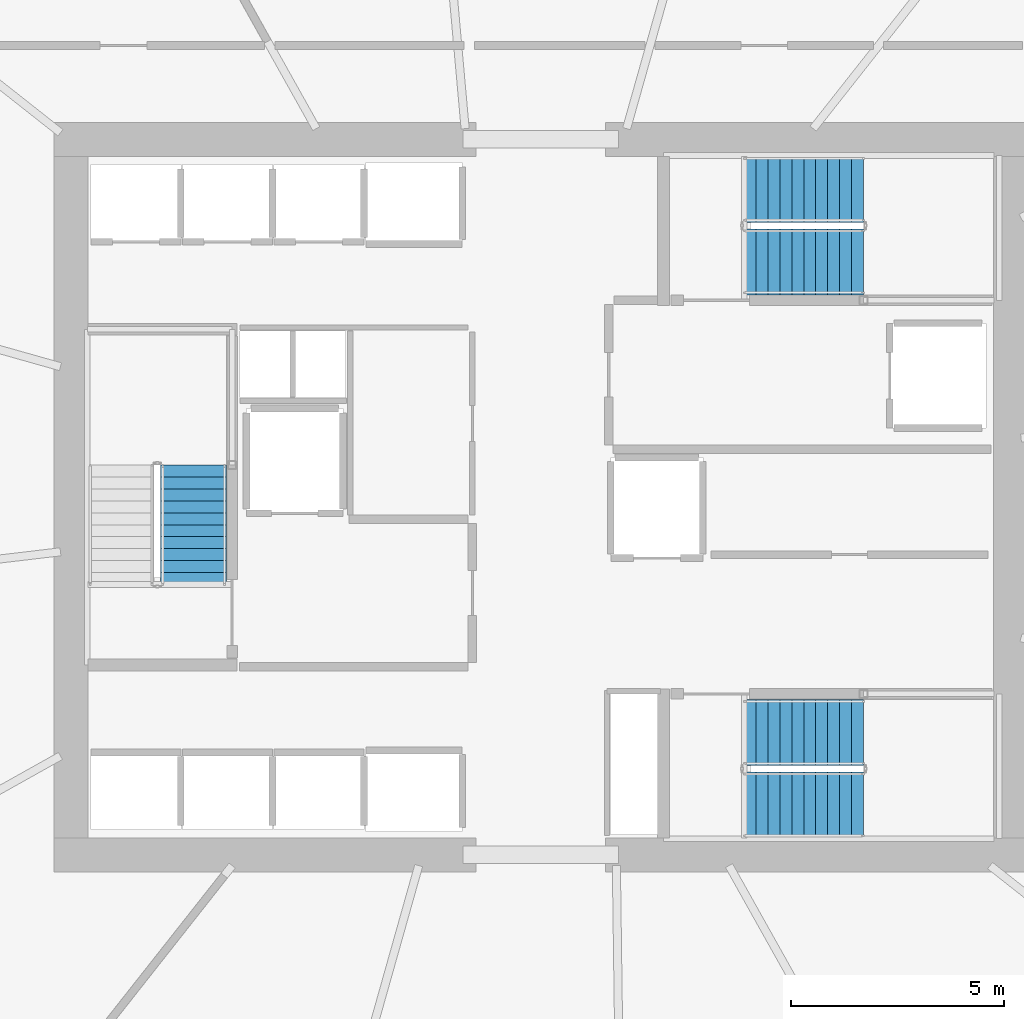
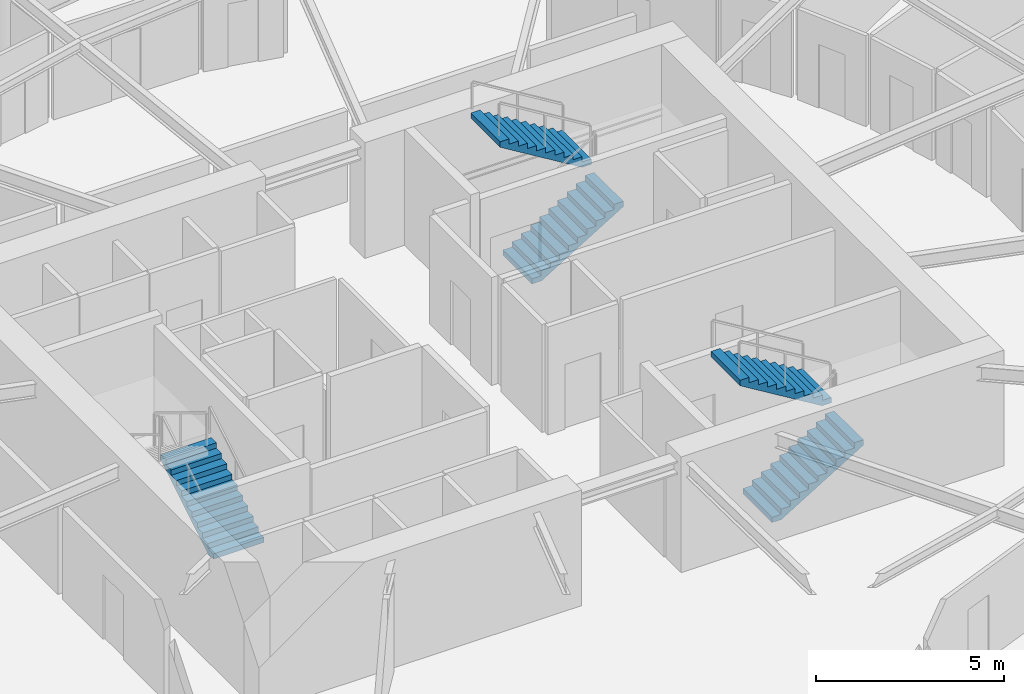
# One storey, part 16 of 17: 5 stair flights, 3 elements without a shape of their own.
"""IFC4 building model written with IfcOpenShell, lengths in metres."""

from ifc_helpers import new_model, si_unit, direction, frame, origin, place, context, subcontext, project, spatial, polyline, outline, extrude, material, type_object, element, aggregate, save


model = new_model("IFC4")

# Units and contexts
model_context = context("Model", 3, precision=1e-05, world=origin(), true_north=direction((0.0, 1.0)))
body_context = subcontext(model_context, "Body", "Model", "MODEL_VIEW")
ifc_project = project(units=[si_unit("LENGTHUNIT", "METRE"), si_unit("AREAUNIT", "SQUARE_METRE"), si_unit("VOLUMEUNIT", "CUBIC_METRE"), si_unit("PLANEANGLEUNIT", "RADIAN"), si_unit("MASSUNIT", "GRAM", prefix="KILO")], contexts=[model_context])

# Site, building, storey
site_placement = place(None, origin())
site = spatial("IfcSite", under=ifc_project, at=site_placement, CompositionType="ELEMENT")
building_placement = place(site_placement, origin())
building = spatial("IfcBuilding", under=site, at=building_placement, Name="Kazma Halo Residences", CompositionType="ELEMENT")
storey_placement = place(building_placement, frame((0.0, 0.0, 127.800048828125)))
storey = spatial("IfcBuildingStorey", under=building, at=storey_placement, Name="L31", CompositionType="ELEMENT", Elevation=127.800048828125)

# Stair, stair flight
ifc_material = material(Name="Concrete C50/60", Category="concrete")
stair_type = type_object("IfcStairType", Name="STR-RES1", PredefinedType="HALF_TURN_STAIR", material=ifc_material)
stair_1_placement = place(storey_placement, origin())
stair_1 = element("IfcStair", 1, at=stair_1_placement, inside=storey, type_object=stair_type, Name="L31 Core exit stair ST-01", PredefinedType="HALF_TURN_STAIR")
stair_flight_type = type_object("IfcStairFlightType", Name="STR-RES1-FLT", PredefinedType="STRAIGHT", material=ifc_material)
stair_flight_1_placement = place(storey_placement, frame((40.27490234375, 39.949951171875, 0.0), z_axis=(0.0, 0.0, 1.0), x_axis=(0.0, 1.0, 0.0)))
stair_flight_1 = element("IfcStairFlight", 2, at=stair_flight_1_placement, type_object=stair_flight_type, Name="ST-01 flight 1", NumberOfRisers=11, NumberOfTreads=10, PredefinedType="STRAIGHT", RiserHeight=0.170454545, TreadLength=0.28, context=body_context, shape_type="SweptSolid", body=[
    extrude(outline(polyline([(0.0, 0.0), (0.0, 0.17041015625), (0.280029296875, 0.17041015625), (0.280029296875, 0.3408203125), (0.56005859375, 0.3408203125), (0.56005859375, 0.511474609375), (0.840087890625, 0.511474609375), (0.840087890625, 0.681884765625), (1.1201171875, 0.681884765625), (1.1201171875, 0.852294921875), (1.39990234375, 0.852294921875), (1.39990234375, 1.022705078125), (1.679931640625, 1.022705078125), (1.679931640625, 1.193115234375), (1.9599609375, 1.193115234375), (1.9599609375, 1.363525390625), (2.239990234375, 1.363525390625), (2.239990234375, 1.5341796875), (2.52001953125, 1.5341796875), (2.52001953125, 1.70458984375), (2.800048828125, 1.70458984375), (2.800048828125, 1.875), (2.800048828125, 1.529052734375), (0.288330078125, 0.0), (0.0, 0.0)])), frame((0.0, 0.77490234375, 0.0), z_axis=(0.0, -1.0, 0.0), x_axis=(1.0, 0.0, 0.0)), (0.0, 0.0, 1.0), 1.550048828125),
])
aggregate(stair_1, [stair_flight_1])

# Stair, stair flights
stair_2_placement = place(storey_placement, origin())
stair_2 = element("IfcStair", 3, at=stair_2_placement, inside=storey, type_object=stair_type, Name="L31 Core exit stair ST-02", PredefinedType="HALF_TURN_STAIR")
stair_flight_2_placement = place(storey_placement, frame((53.199951171875, 47.52490234375, 0.0), z_axis=(0.0, 0.0, 1.0), x_axis=(1.0, 0.0, 0.0)))
stair_flight_2 = element("IfcStairFlight", 4, at=stair_flight_2_placement, type_object=stair_flight_type, Name="ST-02 flight 1", NumberOfRisers=11, NumberOfTreads=10, PredefinedType="STRAIGHT", RiserHeight=0.170454545, TreadLength=0.28, context=body_context, shape_type="SweptSolid", body=[
    extrude(outline(polyline([(0.0, 0.0), (0.0, 0.17041015625), (0.280029296875, 0.17041015625), (0.280029296875, 0.3408203125), (0.56005859375, 0.3408203125), (0.56005859375, 0.511474609375), (0.840087890625, 0.511474609375), (0.840087890625, 0.681884765625), (1.1201171875, 0.681884765625), (1.1201171875, 0.852294921875), (1.39990234375, 0.852294921875), (1.39990234375, 1.022705078125), (1.679931640625, 1.022705078125), (1.679931640625, 1.193115234375), (1.9599609375, 1.193115234375), (1.9599609375, 1.363525390625), (2.239990234375, 1.363525390625), (2.239990234375, 1.5341796875), (2.52001953125, 1.5341796875), (2.52001953125, 1.70458984375), (2.800048828125, 1.70458984375), (2.800048828125, 1.875), (2.800048828125, 1.529052734375), (0.288330078125, 0.0), (0.0, 0.0)])), frame((0.0, 0.77490234375, 0.0), z_axis=(0.0, -1.0, 0.0), x_axis=(1.0, 0.0, 0.0)), (0.0, 0.0, 1.0), 1.550048828125),
])
stair_flight_3_placement = place(storey_placement, frame((56.0, 49.22509765625, 1.875), z_axis=(0.0, 0.0, 1.0), x_axis=(-1.0, 0.0, 0.0)))
stair_flight_3 = element("IfcStairFlight", 5, at=stair_flight_3_placement, type_object=stair_flight_type, Name="ST-02 flight 2", NumberOfRisers=11, NumberOfTreads=10, PredefinedType="STRAIGHT", RiserHeight=0.170454545, TreadLength=0.28, context=body_context, shape_type="SweptSolid", body=[
    extrude(outline(polyline([(0.0, 0.0), (0.0, 0.17041015625), (0.280029296875, 0.17041015625), (0.280029296875, 0.3408203125), (0.56005859375, 0.3408203125), (0.56005859375, 0.511474609375), (0.840087890625, 0.511474609375), (0.840087890625, 0.681884765625), (1.1201171875, 0.681884765625), (1.1201171875, 0.852294921875), (1.39990234375, 0.852294921875), (1.39990234375, 1.022705078125), (1.679931640625, 1.022705078125), (1.679931640625, 1.193115234375), (1.9599609375, 1.193115234375), (1.9599609375, 1.363525390625), (2.239990234375, 1.363525390625), (2.239990234375, 1.5341796875), (2.52001953125, 1.5341796875), (2.52001953125, 1.70458984375), (2.800048828125, 1.70458984375), (2.800048828125, 1.875), (2.800048828125, 1.529052734375), (0.288330078125, 0.0), (0.0, 0.0)])), frame((0.0, 0.77490234375, 0.0), z_axis=(0.0, -1.0, 0.0), x_axis=(1.0, 0.0, 0.0)), (0.0, 0.0, 1.0), 1.550048828125),
])
aggregate(stair_2, [stair_flight_2, stair_flight_3])

stair_3_placement = place(storey_placement, origin())
stair_3 = element("IfcStair", 6, at=stair_3_placement, inside=storey, type_object=stair_type, Name="L31 Core exit stair ST-03", PredefinedType="HALF_TURN_STAIR")
stair_flight_4_placement = place(storey_placement, frame((53.199951171875, 34.77490234375, 0.0), z_axis=(0.0, 0.0, 1.0), x_axis=(1.0, 0.0, 0.0)))
stair_flight_4 = element("IfcStairFlight", 7, at=stair_flight_4_placement, type_object=stair_flight_type, Name="ST-03 flight 1", NumberOfRisers=11, NumberOfTreads=10, PredefinedType="STRAIGHT", RiserHeight=0.170454545, TreadLength=0.28, context=body_context, shape_type="SweptSolid", body=[
    extrude(outline(polyline([(0.0, 0.0), (0.0, 0.17041015625), (0.280029296875, 0.17041015625), (0.280029296875, 0.3408203125), (0.56005859375, 0.3408203125), (0.56005859375, 0.511474609375), (0.840087890625, 0.511474609375), (0.840087890625, 0.681884765625), (1.1201171875, 0.681884765625), (1.1201171875, 0.852294921875), (1.39990234375, 0.852294921875), (1.39990234375, 1.022705078125), (1.679931640625, 1.022705078125), (1.679931640625, 1.193115234375), (1.9599609375, 1.193115234375), (1.9599609375, 1.363525390625), (2.239990234375, 1.363525390625), (2.239990234375, 1.5341796875), (2.52001953125, 1.5341796875), (2.52001953125, 1.70458984375), (2.800048828125, 1.70458984375), (2.800048828125, 1.875), (2.800048828125, 1.529052734375), (0.288330078125, 0.0), (0.0, 0.0)])), frame((0.0, 0.77490234375, 0.0), z_axis=(0.0, -1.0, 0.0), x_axis=(1.0, 0.0, 0.0)), (0.0, 0.0, 1.0), 1.550048828125),
])
stair_flight_5_placement = place(storey_placement, frame((56.0, 36.47509765625, 1.875), z_axis=(0.0, 0.0, 1.0), x_axis=(-1.0, 0.0, 0.0)))
stair_flight_5 = element("IfcStairFlight", 8, at=stair_flight_5_placement, type_object=stair_flight_type, Name="ST-03 flight 2", NumberOfRisers=11, NumberOfTreads=10, PredefinedType="STRAIGHT", RiserHeight=0.170454545, TreadLength=0.28, context=body_context, shape_type="SweptSolid", body=[
    extrude(outline(polyline([(0.0, 0.0), (0.0, 0.17041015625), (0.280029296875, 0.17041015625), (0.280029296875, 0.3408203125), (0.56005859375, 0.3408203125), (0.56005859375, 0.511474609375), (0.840087890625, 0.511474609375), (0.840087890625, 0.681884765625), (1.1201171875, 0.681884765625), (1.1201171875, 0.852294921875), (1.39990234375, 0.852294921875), (1.39990234375, 1.022705078125), (1.679931640625, 1.022705078125), (1.679931640625, 1.193115234375), (1.9599609375, 1.193115234375), (1.9599609375, 1.363525390625), (2.239990234375, 1.363525390625), (2.239990234375, 1.5341796875), (2.52001953125, 1.5341796875), (2.52001953125, 1.70458984375), (2.800048828125, 1.70458984375), (2.800048828125, 1.875), (2.800048828125, 1.529052734375), (0.288330078125, 0.0), (0.0, 0.0)])), frame((0.0, 0.77490234375, 0.0), z_axis=(0.0, -1.0, 0.0), x_axis=(1.0, 0.0, 0.0)), (0.0, 0.0, 1.0), 1.550048828125),
])
aggregate(stair_3, [stair_flight_4, stair_flight_5])

save(model, "model.ifc")
